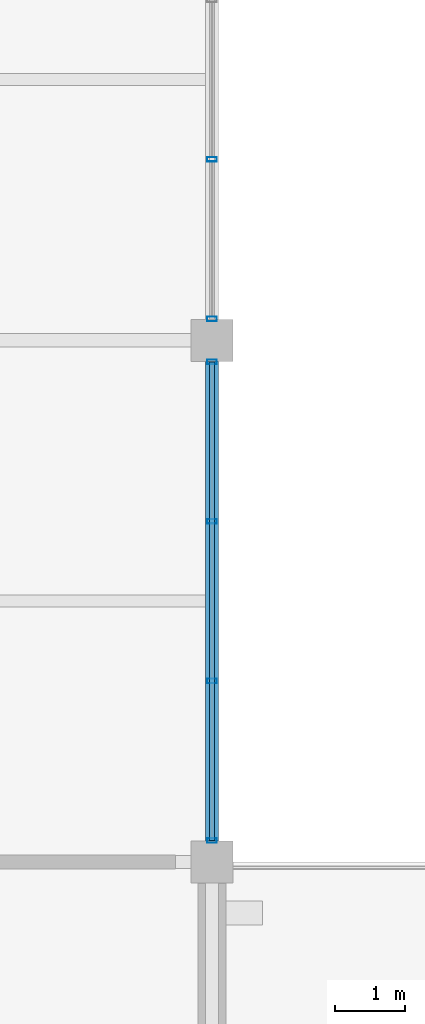
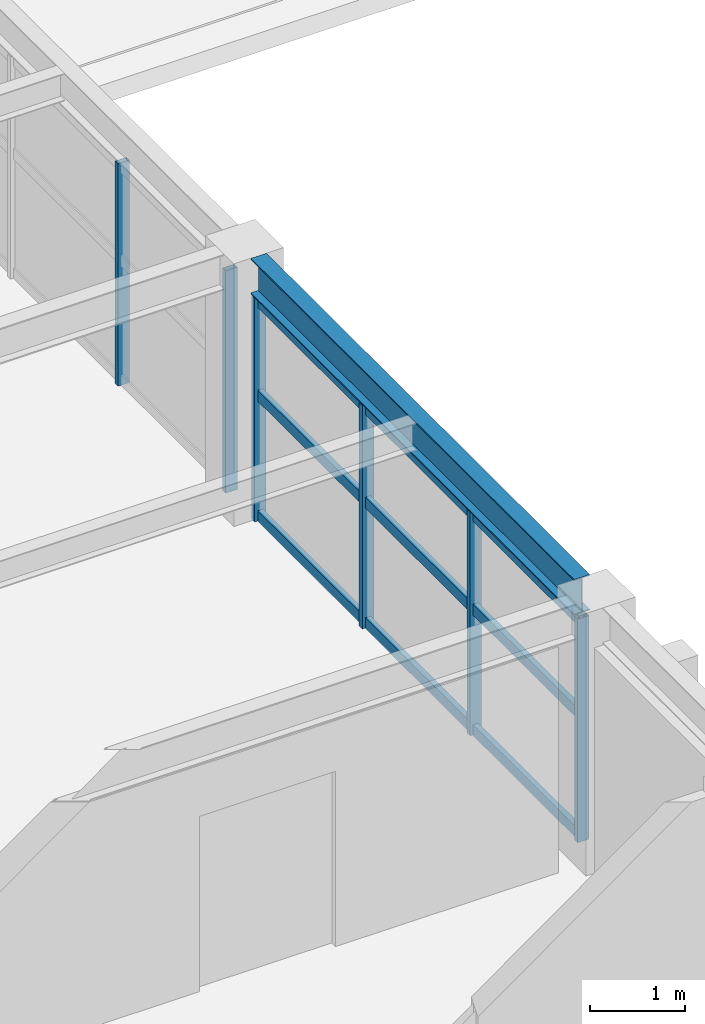
# One storey, part 18 of 121: 9 members, 1 beam, 2 elements without a shape of their own.
"""IFC4 building model written with IfcOpenShell, lengths in metres."""

from ifc_helpers import new_model, si_unit, direction, frame, origin, origin_2d, place, context, subcontext, project, spatial, hollow_rectangle, i_section, extrude, material, material_profile, profile_set, type_object, element, aggregate, save


model = new_model("IFC4")

# Units and contexts
model_context = context("Model", 3, precision=1e-05, world=origin(), true_north=direction((0.0, 1.0)))
body_context = subcontext(model_context, "Body", "Model", "MODEL_VIEW")
ifc_project = project(units=[si_unit("LENGTHUNIT", "METRE"), si_unit("AREAUNIT", "SQUARE_METRE"), si_unit("VOLUMEUNIT", "CUBIC_METRE"), si_unit("PLANEANGLEUNIT", "RADIAN"), si_unit("MASSUNIT", "GRAM", prefix="KILO")], contexts=[model_context])

# Site, building, storey
site_placement = place(None, origin())
site = spatial("IfcSite", under=ifc_project, at=site_placement, CompositionType="ELEMENT")
building_placement = place(site_placement, origin())
building = spatial("IfcBuilding", under=site, at=building_placement, Name="Cimatlan Art Gallery", CompositionType="ELEMENT")
storey_placement = place(building_placement, frame((0.0, 0.0, 10.199951171875)))
storey = spatial("IfcBuildingStorey", under=building, at=storey_placement, Name="L02", CompositionType="ELEMENT", Elevation=10.199951171875)

# Beam
ifc_material_1 = material(Name="Steel ASTM A992 Grade 50", Category="steel")
ifc_material_profile_1 = material_profile(ifc_material_1, i_section(OverallWidth=0.19091796875, OverallDepth=0.45703125, WebThickness=0.009033203125, FlangeThickness=0.014404296875, at=origin_2d()), Name="W18X50")
ifc_profile_set_1 = profile_set([ifc_material_profile_1], Name="Steel ASTM A992 Grade 50")
beam_type = type_object("IfcBeamType", Name="BM-STL-W18X50", PredefinedType="BEAM", material=ifc_profile_set_1)
beam_placement = place(storey_placement, frame((50.60009765625, 39.0, 3.1416015625), z_axis=(0.0, 1.0, 0.0), x_axis=(-1.0, 0.0, 0.0)))
element("IfcBeam", 1, at=beam_placement, inside=storey, type_object=beam_type, Name="BM-Y-L02-06-05", PredefinedType="BEAM", context=body_context, shape_type="SweptSolid", body=[
    extrude(i_section(OverallWidth=0.19091796875, OverallDepth=0.45703125, WebThickness=0.009033203125, FlangeThickness=0.014404296875, at=origin_2d()), origin(), (0.0, 0.0, 1.0), 6.800048828125),
])

# Curtain wall, members
ifc_material_2 = material(Name="Anodised bronze unitised curtain wall")
curtain_wall_type_1 = type_object("IfcCurtainWallType", Name="CW-V-06792X02868-B3", PredefinedType="NOTDEFINED", material=ifc_material_2)
curtain_wall_1_placement = place(storey_placement, origin())
curtain_wall_1 = element("IfcCurtainWall", 2, at=curtain_wall_1_placement, inside=storey, type_object=curtain_wall_type_1, Name="CW-L02-05-05-E", PredefinedType="NOTDEFINED")
ifc_material_3 = material(Name="Anodised bronze aluminium 6063-T6", Category="aluminium")
ifc_material_profile_2 = material_profile(ifc_material_3, hollow_rectangle(XDim=0.06494140625, YDim=0.139892578125, WallThickness=0.00390625, at=origin_2d()), Name="ALU65X140X4")
ifc_profile_set_2 = profile_set([ifc_material_profile_2], Name="Anodised bronze aluminium 6063-T6")
member_type_1 = type_object("IfcMemberType", Name="CW-MUL-140", PredefinedType="MULLION", material=ifc_profile_set_2)
member_1_placement = place(storey_placement, frame((50.60009765625, 45.7958984375, 0.0), z_axis=(0.0, 0.0, 1.0), x_axis=(0.0, 1.0, 0.0)))
member_1 = element("IfcMember", 3, at=member_1_placement, type_object=member_type_1, Name="CW-L02-05-05-E-M1", PredefinedType="MULLION", context=body_context, shape_type="SweptSolid", body=[
    extrude(hollow_rectangle(XDim=0.06494140625, YDim=0.139892578125, WallThickness=0.00390625, at=origin_2d()), origin(), (0.0, 0.0, 1.0), 2.8681640625),
])
member_2_placement = place(storey_placement, frame((50.60009765625, 43.531982421875, 0.0), z_axis=(0.0, 0.0, 1.0), x_axis=(0.0, 1.0, 0.0)))
member_2 = element("IfcMember", 4, at=member_2_placement, type_object=member_type_1, Name="CW-L02-05-05-E-M2", PredefinedType="MULLION", context=body_context, shape_type="SweptSolid", body=[
    extrude(hollow_rectangle(XDim=0.06494140625, YDim=0.139892578125, WallThickness=0.00390625, at=origin_2d()), origin(), (0.0, 0.0, 1.0), 2.8681640625),
])
member_3_placement = place(storey_placement, frame((50.60009765625, 41.26806640625, 0.0), z_axis=(0.0, 0.0, 1.0), x_axis=(0.0, 1.0, 0.0)))
member_3 = element("IfcMember", 5, at=member_3_placement, type_object=member_type_1, Name="CW-L02-05-05-E-M3", PredefinedType="MULLION", context=body_context, shape_type="SweptSolid", body=[
    extrude(hollow_rectangle(XDim=0.06494140625, YDim=0.139892578125, WallThickness=0.00390625, at=origin_2d()), origin(), (0.0, 0.0, 1.0), 2.8681640625),
])
member_4_placement = place(storey_placement, frame((50.60009765625, 39.00390625, 0.0), z_axis=(0.0, 0.0, 1.0), x_axis=(0.0, 1.0, 0.0)))
member_4 = element("IfcMember", 6, at=member_4_placement, type_object=member_type_1, Name="CW-L02-05-05-E-M4", PredefinedType="MULLION", context=body_context, shape_type="SweptSolid", body=[
    extrude(hollow_rectangle(XDim=0.06494140625, YDim=0.139892578125, WallThickness=0.00390625, at=origin_2d()), origin(), (0.0, 0.0, 1.0), 2.8681640625),
])

curtain_wall_type_2 = type_object("IfcCurtainWallType", Name="CW-V-06792X02853-B3", PredefinedType="NOTDEFINED", material=ifc_material_2)
curtain_wall_2_placement = place(storey_placement, origin())
curtain_wall_2 = element("IfcCurtainWall", 7, at=curtain_wall_2_placement, inside=storey, type_object=curtain_wall_type_2, Name="CW-L02-05-06-E", PredefinedType="NOTDEFINED")
member_5_placement = place(storey_placement, frame((50.60009765625, 48.66796875, 0.0), z_axis=(0.0, 0.0, 1.0), x_axis=(0.0, 1.0, 0.0)))
member_5 = element("IfcMember", 8, at=member_5_placement, type_object=member_type_1, Name="CW-L02-05-06-E-M3", PredefinedType="MULLION", context=body_context, shape_type="SweptSolid", body=[
    extrude(hollow_rectangle(XDim=0.06494140625, YDim=0.139892578125, WallThickness=0.00390625, at=origin_2d()), origin(), (0.0, 0.0, 1.0), 2.85302734375),
])
member_6_placement = place(storey_placement, frame((50.60009765625, 46.404052734375, 0.0), z_axis=(0.0, 0.0, 1.0), x_axis=(0.0, 1.0, 0.0)))
member_6 = element("IfcMember", 9, at=member_6_placement, type_object=member_type_1, Name="CW-L02-05-06-E-M4", PredefinedType="MULLION", context=body_context, shape_type="SweptSolid", body=[
    extrude(hollow_rectangle(XDim=0.06494140625, YDim=0.139892578125, WallThickness=0.00390625, at=origin_2d()), origin(), (0.0, 0.0, 1.0), 2.85302734375),
])
aggregate(curtain_wall_2, [member_5, member_6])

# Member
ifc_material_profile_3 = material_profile(ifc_material_3, hollow_rectangle(XDim=0.06494140625, YDim=0.139892578125, WallThickness=0.00390625, at=origin_2d()), Name="ALU65X140X4")
ifc_profile_set_3 = profile_set([ifc_material_profile_3], Name="Anodised bronze aluminium 6063-T6")
member_type_2 = type_object("IfcMemberType", Name="CW-TRN-140", PredefinedType="USERDEFINED", material=ifc_profile_set_3)
member_7_placement = place(storey_placement, frame((50.60009765625, 45.7958984375, 0.06005859375), z_axis=(0.0, -1.0, 0.0), x_axis=(1.0, 0.0, 0.0)))
member_7 = element("IfcMember", 10, at=member_7_placement, type_object=member_type_2, Name="CW-L02-05-05-E-T1", ObjectType="TRANSOM", PredefinedType="USERDEFINED", context=body_context, shape_type="SweptSolid", body=[
    extrude(hollow_rectangle(XDim=0.06494140625, YDim=0.139892578125, WallThickness=0.00390625, at=origin_2d()), origin(), (0.0, 0.0, 1.0), 6.7919921875),
])

member_8_placement = place(storey_placement, frame((50.60009765625, 45.7958984375, 1.606201171875), z_axis=(0.0, -1.0, 0.0), x_axis=(1.0, 0.0, 0.0)))
member_8 = element("IfcMember", 11, at=member_8_placement, type_object=member_type_2, Name="CW-L02-05-05-E-T2", ObjectType="TRANSOM", PredefinedType="USERDEFINED", context=body_context, shape_type="SweptSolid", body=[
    extrude(hollow_rectangle(XDim=0.06494140625, YDim=0.139892578125, WallThickness=0.00390625, at=origin_2d()), origin(), (0.0, 0.0, 1.0), 6.7919921875),
])

member_9_placement = place(storey_placement, frame((50.60009765625, 45.7958984375, 2.80810546875), z_axis=(0.0, -1.0, 0.0), x_axis=(1.0, 0.0, 0.0)))
member_9 = element("IfcMember", 12, at=member_9_placement, type_object=member_type_2, Name="CW-L02-05-05-E-T3", ObjectType="TRANSOM", PredefinedType="USERDEFINED", context=body_context, shape_type="SweptSolid", body=[
    extrude(hollow_rectangle(XDim=0.06494140625, YDim=0.139892578125, WallThickness=0.00390625, at=origin_2d()), origin(), (0.0, 0.0, 1.0), 6.7919921875),
])

aggregate(curtain_wall_1, [member_1, member_2, member_3, member_4, member_7, member_8, member_9])

save(model, "model.ifc")
